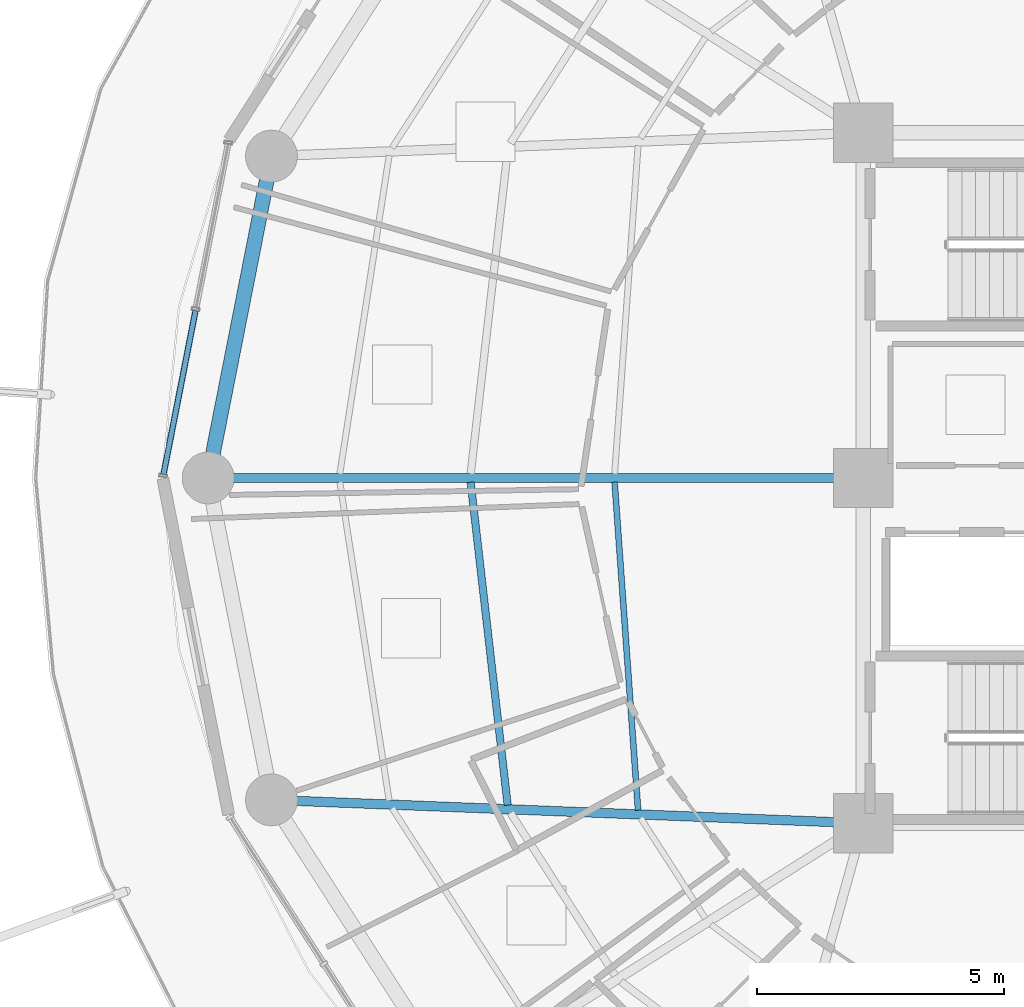
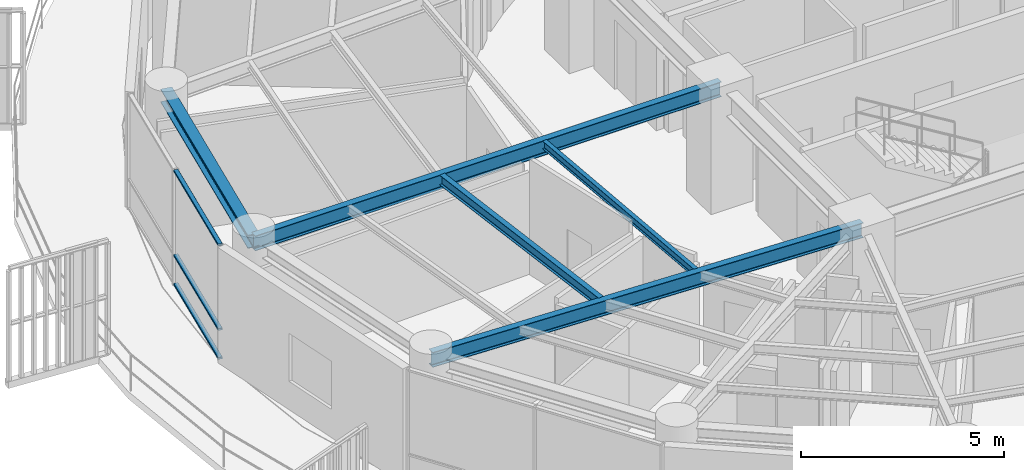
# One storey, part 7 of 30: 5 beams, 3 members, 1 element without a shape of its own.
"""IFC4 building model written with IfcOpenShell, lengths in metres."""

from ifc_helpers import new_model, si_unit, direction, frame, origin, origin_2d, place, context, subcontext, project, spatial, hollow_rectangle, i_section, extrude, material, layer, layer_set, material_profile, profile_set, type_object, element, aggregate, save


model = new_model("IFC4")

# Units and contexts
model_context = context("Model", 3, precision=1e-05, world=origin(), true_north=direction((0.0, 1.0)))
body_context = subcontext(model_context, "Body", "Model", "MODEL_VIEW")
ifc_project = project(units=[si_unit("LENGTHUNIT", "METRE"), si_unit("AREAUNIT", "SQUARE_METRE"), si_unit("VOLUMEUNIT", "CUBIC_METRE"), si_unit("PLANEANGLEUNIT", "RADIAN"), si_unit("MASSUNIT", "GRAM", prefix="KILO")], contexts=[model_context])

# Site, building, storey
site_placement = place(None, origin())
site = spatial("IfcSite", under=ifc_project, at=site_placement, CompositionType="ELEMENT")
building_placement = place(site_placement, origin())
building = spatial("IfcBuilding", under=site, at=building_placement, Name="Kelanora Arch Commons", CompositionType="ELEMENT")
storey_placement = place(building_placement, frame((0.0, 0.0, 211.949951171875)))
storey = spatial("IfcBuildingStorey", under=building, at=storey_placement, Name="L54", CompositionType="ELEMENT", Elevation=211.949951171875)

# Beams
ifc_material_1 = material(Name="Steel S355", Category="steel")
ifc_material_profile_1 = material_profile(ifc_material_1, i_section(OverallWidth=0.14990234375, OverallDepth=0.300048828125, WebThickness=0.007080078125, FlangeThickness=0.0107421875, FilletRadius=0.014892578125, at=origin_2d()), Name="IPE300")
ifc_profile_set_1 = profile_set([ifc_material_profile_1], Name="Steel S355")
beam_type_1 = type_object("IfcBeamType", Name="BM-JST-01", PredefinedType="JOIST", material=ifc_profile_set_1)
beam_1_placement = place(storey_placement, frame((58.041748046875, 57.91552734375, 3.340087890625), z_axis=(0.113891408177, -0.993493204377, 0.0), x_axis=(0.993493204377, 0.113891408177, 0.0)))
element("IfcBeam", 1, at=beam_1_placement, inside=storey, type_object=beam_type_1, Name="Secondary Chord Joist BJB-18 L54", PredefinedType="JOIST", context=body_context, shape_type="SweptSolid", body=[
    extrude(i_section(OverallWidth=0.14990234375, OverallDepth=0.300048828125, WebThickness=0.007080078125, FlangeThickness=0.0107421875, FilletRadius=0.014892578125, at=origin_2d()), origin(), (0.0, 0.0, 1.0), 6.589599609375),
])
ifc_material_profile_2 = material_profile(ifc_material_1, i_section(OverallWidth=0.1201171875, OverallDepth=0.239990234375, WebThickness=0.006103515625, FlangeThickness=0.009765625, FilletRadius=0.014892578125, at=origin_2d()), Name="IPE240")
ifc_profile_set_2 = profile_set([ifc_material_profile_2], Name="Steel S355")
beam_type_2 = type_object("IfcBeamType", Name="BM-JST-02", PredefinedType="JOIST", material=ifc_profile_set_2)
beam_2_placement = place(storey_placement, frame((60.959716796875, 57.915283203125, 3.3701171875), z_axis=(0.07133032136, -0.997452748382, 0.0), x_axis=(0.997452748382, 0.07133032136, 0.0)))
element("IfcBeam", 2, at=beam_2_placement, inside=storey, type_object=beam_type_2, Name="Secondary Chord Joist BJA-18 L54", PredefinedType="JOIST", context=body_context, shape_type="SweptSolid", body=[
    extrude(i_section(OverallWidth=0.1201171875, OverallDepth=0.239990234375, WebThickness=0.006103515625, FlangeThickness=0.009765625, FilletRadius=0.014892578125, at=origin_2d()), origin(), (0.0, 0.0, 1.0), 6.66748046875),
])
ifc_material_profile_3 = material_profile(ifc_material_1, i_section(OverallWidth=0.18994140625, OverallDepth=0.449951171875, WebThickness=0.009521484375, FlangeThickness=0.0146484375, FilletRadius=0.02099609375, at=origin_2d()), Name="IPE450")
ifc_profile_set_3 = profile_set([ifc_material_profile_3], Name="Steel S355")
beam_type_3 = type_object("IfcBeamType", Name="BM-RAD-Z4", PredefinedType="BEAM", material=ifc_profile_set_3)
beam_3_placement = place(storey_placement, frame((66.0, 58.0, 3.26513671875), z_axis=(-1.0, 0.0, 0.0), x_axis=(0.0, -1.0, 0.0)))
element("IfcBeam", 3, at=beam_3_placement, inside=storey, type_object=beam_type_3, Name="Radial Floor Girder BR-18 L54", PredefinedType="BEAM", context=body_context, shape_type="SweptSolid", body=[
    extrude(i_section(OverallWidth=0.18994140625, OverallDepth=0.449951171875, WebThickness=0.009521484375, FlangeThickness=0.0146484375, FilletRadius=0.02099609375, at=origin_2d()), origin(), (0.0, 0.0, 1.0), 13.280029296875),
])
beam_4_placement = place(storey_placement, frame((66.0, 51.0, 3.26513671875), z_axis=(-0.999219142585, 0.03951082246, 0.0), x_axis=(-0.03951082246, -0.999219142585, 0.0)))
element("IfcBeam", 4, at=beam_4_placement, inside=storey, type_object=beam_type_3, Name="Radial Floor Girder BR-20 L54", PredefinedType="BEAM", context=body_context, shape_type="SweptSolid", body=[
    extrude(i_section(OverallWidth=0.18994140625, OverallDepth=0.449951171875, WebThickness=0.009521484375, FlangeThickness=0.0146484375, FilletRadius=0.02099609375, at=origin_2d()), origin(), (0.0, 0.0, 1.0), 12.005859375),
])
ifc_material_profile_4 = material_profile(ifc_material_1, i_section(OverallWidth=0.300048828125, OverallDepth=0.39990234375, WebThickness=0.013427734375, FlangeThickness=0.02392578125, FilletRadius=0.027099609375, at=origin_2d()), Name="HEB400")
ifc_profile_set_4 = profile_set([ifc_material_profile_4], Name="Steel S355")
beam_type_4 = type_object("IfcBeamType", Name="BM-SPN-Z4", PredefinedType="SPANDREL", material=ifc_profile_set_4)
beam_5_placement = place(storey_placement, frame((54.00341796875, 64.525634765625, 3.2900390625), z_axis=(-0.192980724826, -0.981202547819, 0.0), x_axis=(0.981202547819, -0.192980724826, 0.0)))
element("IfcBeam", 5, at=beam_5_placement, inside=storey, type_object=beam_type_4, Name="Perimeter Spandrel Beam BS-16 L54", PredefinedType="SPANDREL", context=body_context, shape_type="SweptSolid", body=[
    extrude(i_section(OverallWidth=0.300048828125, OverallDepth=0.39990234375, WebThickness=0.013427734375, FlangeThickness=0.02392578125, FilletRadius=0.027099609375, at=origin_2d()), origin(), (0.0, 0.0, 1.0), 6.650634765625),
])

# Curtain wall, members
ifc_material_2 = material(Name="Terracotta ceramic-fritted low-E glass and aluminium", Category="masonry")
ifc_layer = layer(ifc_material_2, 0.175048828125)
ifc_layer_set = layer_set([ifc_layer], Name="Terracotta ceramic-fritted low-E glass and aluminium")
curtain_wall_type = type_object("IfcCurtainWallType", Name="CW-SYS-02", PredefinedType="NOTDEFINED", material=ifc_layer_set)
curtain_wall_placement = place(storey_placement, origin())
curtain_wall = element("IfcCurtainWall", 6, at=curtain_wall_placement, inside=storey, type_object=curtain_wall_type, Name="Unitised Curtain Wall L54-B08", PredefinedType="NOTDEFINED")
ifc_material_3 = material(Name="Powder-coated aluminium terracotta", Category="masonry")
ifc_material_profile_5 = material_profile(ifc_material_3, hollow_rectangle(XDim=0.1201171875, YDim=0.06005859375, WallThickness=0.0048828125, InnerFilletRadius=0.0048828125, OuterFilletRadius=0.010009765625, at=origin_2d()), Name="CWT120x60")
ifc_profile_set_5 = profile_set([ifc_material_profile_5], Name="Powder-coated aluminium terracotta")
member_type = type_object("IfcMemberType", Name="CWT-STD", PredefinedType="USERDEFINED", material=ifc_profile_set_5)
member_1_placement = place(storey_placement, frame((52.463623046875, 61.390869140625, 0.030029296875), z_axis=(-0.192044874899, -0.981386145218, 0.0), x_axis=(0.981386145218, -0.192044874899, 0.0)))
member_1 = element("IfcMember", 7, at=member_1_placement, type_object=member_type, Name="CW-02 transom 2.1", ObjectType="TRANSOM", PredefinedType="USERDEFINED", context=body_context, shape_type="SweptSolid", body=[
    extrude(hollow_rectangle(XDim=0.1201171875, YDim=0.06005859375, WallThickness=0.0048828125, InnerFilletRadius=0.0048828125, OuterFilletRadius=0.010009765625, at=origin_2d()), origin(), (0.0, 0.0, 1.0), 3.38037109375),
])
member_2_placement = place(storey_placement, frame((52.463623046875, 61.390869140625, 0.900146484375), z_axis=(-0.192044874899, -0.981386145218, 0.0), x_axis=(0.981386145218, -0.192044874899, 0.0)))
member_2 = element("IfcMember", 8, at=member_2_placement, type_object=member_type, Name="CW-02 transom 2.2", ObjectType="TRANSOM", PredefinedType="USERDEFINED", context=body_context, shape_type="SweptSolid", body=[
    extrude(hollow_rectangle(XDim=0.1201171875, YDim=0.06005859375, WallThickness=0.0048828125, InnerFilletRadius=0.0048828125, OuterFilletRadius=0.010009765625, at=origin_2d()), origin(), (0.0, 0.0, 1.0), 3.38037109375),
])
member_3_placement = place(storey_placement, frame((52.463623046875, 61.390869140625, 3.445068359375), z_axis=(-0.192044874899, -0.981386145218, 0.0), x_axis=(0.981386145218, -0.192044874899, 0.0)))
member_3 = element("IfcMember", 9, at=member_3_placement, type_object=member_type, Name="CW-02 transom 2.3", ObjectType="TRANSOM", PredefinedType="USERDEFINED", context=body_context, shape_type="SweptSolid", body=[
    extrude(hollow_rectangle(XDim=0.1201171875, YDim=0.06005859375, WallThickness=0.0048828125, InnerFilletRadius=0.0048828125, OuterFilletRadius=0.010009765625, at=origin_2d()), origin(), (0.0, 0.0, 1.0), 3.38037109375),
])
aggregate(curtain_wall, [member_1, member_2, member_3])

save(model, "model.ifc")
